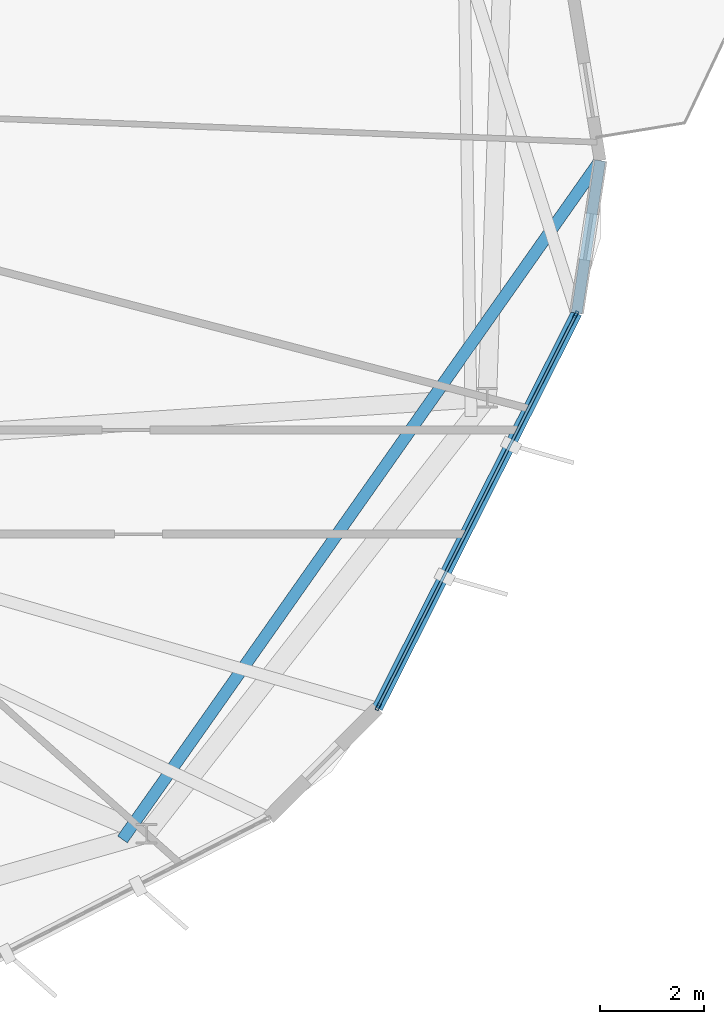
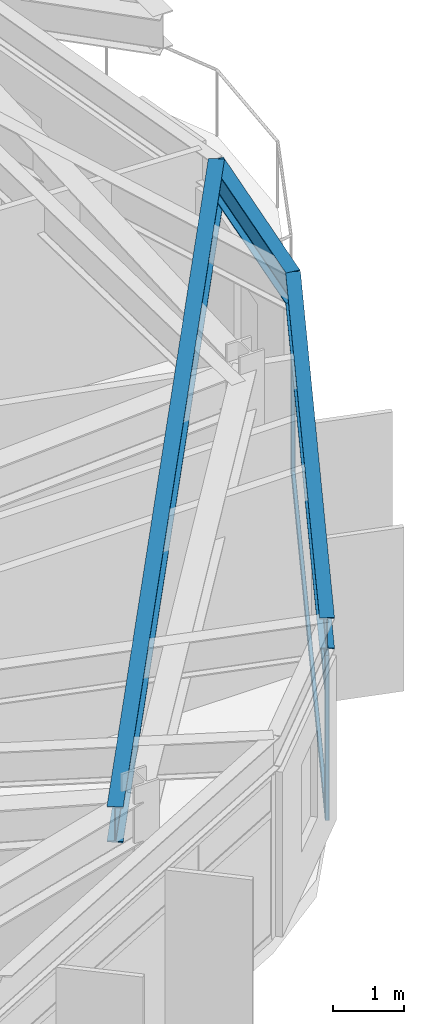
# One storey, part 9 of 22: 5 members, 3 beams, 1 element without a shape of its own.
"""IFC4 building model written with IfcOpenShell, lengths in metres."""

from ifc_helpers import new_model, si_unit, direction, frame, origin, origin_2d, place, context, subcontext, project, spatial, hollow_rectangle, i_section, extrude, material, layer, layer_set, material_profile, profile_set, type_object, element, aggregate, save


model = new_model("IFC4")

# Units and contexts
model_context = context("Model", 3, precision=1e-05, world=origin(), true_north=direction((0.0, 1.0)))
body_context = subcontext(model_context, "Body", "Model", "MODEL_VIEW")
ifc_project = project(units=[si_unit("LENGTHUNIT", "METRE"), si_unit("AREAUNIT", "SQUARE_METRE"), si_unit("VOLUMEUNIT", "CUBIC_METRE"), si_unit("PLANEANGLEUNIT", "RADIAN"), si_unit("MASSUNIT", "GRAM", prefix="KILO")], contexts=[model_context])

# Site, building, storey
site_placement = place(None, origin())
site = spatial("IfcSite", under=ifc_project, at=site_placement, CompositionType="ELEMENT")
building_placement = place(site_placement, origin())
building = spatial("IfcBuilding", under=site, at=building_placement, Name="Soratama Intermodal Tower", CompositionType="ELEMENT")
storey_placement = place(building_placement, frame((0.0, 0.0, 265.0)))
storey = spatial("IfcBuildingStorey", under=building, at=storey_placement, Name="L67", CompositionType="ELEMENT", Elevation=265.0)

# Beams
ifc_material_1 = material(Name="Structural steel ASTM A992 Grade 50", Category="steel")
ifc_material_profile_1 = material_profile(ifc_material_1, i_section(OverallWidth=0.2099609375, OverallDepth=0.537109375, WebThickness=0.010986328125, FlangeThickness=0.017333984375, FilletRadius=0.012939453125, at=origin_2d()), Name="W21X68")
ifc_profile_set_1 = profile_set([ifc_material_profile_1], Name="Structural steel ASTM A992 Grade 50")
beam_type_1 = type_object("IfcBeamType", Name="BM-SPN-W21X68", PredefinedType="SPANDREL", material=ifc_profile_set_1)
beam_1_placement = place(storey_placement, frame((59.051025390625, 13.155029296875, 3.181396484375), z_axis=(0.450358943258, 0.892847591825, 0.0), x_axis=(-0.892847591825, 0.450358943258, 0.0)))
element("IfcBeam", 1, at=beam_1_placement, inside=storey, type_object=beam_type_1, Name="BS-L67-F08", PredefinedType="SPANDREL", context=body_context, shape_type="SweptSolid", body=[
    extrude(i_section(OverallWidth=0.2099609375, OverallDepth=0.537109375, WebThickness=0.010986328125, FlangeThickness=0.017333984375, FilletRadius=0.012939453125, at=origin_2d()), origin(), (0.0, 0.0, 1.0), 8.49951171875),
])
beam_2_placement = place(storey_placement, frame((62.87890625, 20.743896484375, 3.181396484375), z_axis=(0.152081920399, 0.988367891773, 0.0), x_axis=(-0.988367891773, 0.152081920399, 0.0)))
element("IfcBeam", 2, at=beam_2_placement, inside=storey, type_object=beam_type_1, Name="BS-L67-CRN08", PredefinedType="SPANDREL", context=body_context, shape_type="SweptSolid", body=[
    extrude(i_section(OverallWidth=0.2099609375, OverallDepth=0.537109375, WebThickness=0.010986328125, FlangeThickness=0.017333984375, FilletRadius=0.012939453125, at=origin_2d()), origin(), (0.0, 0.0, 1.0), 2.966552734375),
])
ifc_material_2 = material(Name="Structural steel ASTM A992 Grade 50", Category="steel")
ifc_material_profile_2 = material_profile(ifc_material_2, i_section(OverallWidth=0.22900390625, OverallDepth=0.612060546875, WebThickness=0.011962890625, FlangeThickness=0.01953125, FilletRadius=0.012939453125, at=origin_2d()), Name="W24X84")
ifc_profile_set_2 = profile_set([ifc_material_profile_2], Name="Structural steel ASTM A992 Grade 50")
beam_type_2 = type_object("IfcBeamType", Name="BM-TIE-W24X84", PredefinedType="BEAM", material=ifc_profile_set_2)
beam_3_placement = place(storey_placement, frame((54.153076171875, 10.633056640625, 3.14404296875), z_axis=(0.575435386494, 0.817847244887, 0.0), x_axis=(-0.817847244887, 0.575435386494, 0.0)))
element("IfcBeam", 3, at=beam_3_placement, inside=storey, type_object=beam_type_2, Name="BM-L67-TIE0-09", PredefinedType="BEAM", context=body_context, shape_type="SweptSolid", body=[
    extrude(i_section(OverallWidth=0.22900390625, OverallDepth=0.612060546875, WebThickness=0.011962890625, FlangeThickness=0.01953125, FilletRadius=0.012939453125, at=origin_2d()), origin(), (0.0, 0.0, 1.0), 15.947998046875),
])

# Curtain wall, members
ifc_material_3 = material(Name="Double-glazed aluminium curtain wall", Category="aluminium")
ifc_layer = layer(ifc_material_3, 0.159912109375)
ifc_layer_set = layer_set([ifc_layer], Name="Double-glazed aluminium curtain wall")
curtain_wall_type = type_object("IfcCurtainWallType", Name="CW-SYS-5", PredefinedType="NOTDEFINED", material=ifc_layer_set)
curtain_wall_placement = place(storey_placement, origin())
curtain_wall = element("IfcCurtainWall", 4, at=curtain_wall_placement, inside=storey, type_object=curtain_wall_type, Name="L67 Faceted Curtain Wall F08", PredefinedType="NOTDEFINED")
ifc_material_4 = material(Name="Anodised aluminium AA 6063-T6", Category="aluminium")
ifc_material_profile_3 = material_profile(ifc_material_4, hollow_rectangle(XDim=0.06494140625, YDim=0.139892578125, WallThickness=0.0048828125, InnerFilletRadius=0.0048828125, OuterFilletRadius=0.010009765625, at=origin_2d()), Name="CWM140X65X5")
ifc_profile_set_3 = profile_set([ifc_material_profile_3], Name="Anodised aluminium AA 6063-T6")
member_type_1 = type_object("IfcMemberType", Name="MT-CWM-5", PredefinedType="MULLION", material=ifc_profile_set_3)
member_1_placement = place(storey_placement, frame((59.06494140625, 13.181640625, 0.0), z_axis=(0.0, 0.0, 1.0), x_axis=(-0.892899626176, 0.450255769064, 0.0)))
member_1 = element("IfcMember", 5, at=member_1_placement, type_object=member_type_1, Name="CW-5 mullion 1", PredefinedType="MULLION", context=body_context, shape_type="SweptSolid", body=[
    extrude(hollow_rectangle(XDim=0.06494140625, YDim=0.139892578125, WallThickness=0.0048828125, InnerFilletRadius=0.0048828125, OuterFilletRadius=0.010009765625, at=origin_2d()), origin(), (0.0, 0.0, 1.0), 2.8291015625),
])
member_2_placement = place(storey_placement, frame((62.864990234375, 20.717529296875, 0.0), z_axis=(0.0, 0.0, 1.0), x_axis=(-0.892899626176, 0.450255769064, 0.0)))
member_2 = element("IfcMember", 6, at=member_2_placement, type_object=member_type_1, Name="CW-5 mullion 2", PredefinedType="MULLION", context=body_context, shape_type="SweptSolid", body=[
    extrude(hollow_rectangle(XDim=0.06494140625, YDim=0.139892578125, WallThickness=0.0048828125, InnerFilletRadius=0.0048828125, OuterFilletRadius=0.010009765625, at=origin_2d()), origin(), (0.0, 0.0, 1.0), 2.8291015625),
])
ifc_material_5 = material(Name="Anodised aluminium AA 6063-T6", Category="aluminium")
ifc_material_profile_4 = material_profile(ifc_material_5, hollow_rectangle(XDim=0.06005859375, YDim=0.1298828125, WallThickness=0.0048828125, InnerFilletRadius=0.0048828125, OuterFilletRadius=0.010009765625, at=origin_2d()), Name="CWT130X60X5")
ifc_profile_set_4 = profile_set([ifc_material_profile_4], Name="Anodised aluminium AA 6063-T6")
member_type_2 = type_object("IfcMemberType", Name="TT-CWT-2", PredefinedType="USERDEFINED", material=ifc_profile_set_4)
member_3_placement = place(storey_placement, frame((59.078369140625, 13.208251953125, 0.030029296875), z_axis=(0.450264221194, 0.892895364034, 0.0), x_axis=(-0.892895364034, 0.450264221194, 0.0)))
member_3 = element("IfcMember", 7, at=member_3_placement, type_object=member_type_2, Name="CW-5 transom 1.1", ObjectType="TRANSOM", PredefinedType="USERDEFINED", context=body_context, shape_type="SweptSolid", body=[
    extrude(hollow_rectangle(XDim=0.06005859375, YDim=0.1298828125, WallThickness=0.0048828125, InnerFilletRadius=0.0048828125, OuterFilletRadius=0.010009765625, at=origin_2d()), origin(), (0.0, 0.0, 1.0), 8.3798828125),
])
member_4_placement = place(storey_placement, frame((59.078369140625, 13.208251953125, 2.14990234375), z_axis=(0.450264221194, 0.892895364034, 0.0), x_axis=(-0.892895364034, 0.450264221194, 0.0)))
member_4 = element("IfcMember", 8, at=member_4_placement, type_object=member_type_2, Name="CW-5 transom 1.2", ObjectType="TRANSOM", PredefinedType="USERDEFINED", context=body_context, shape_type="SweptSolid", body=[
    extrude(hollow_rectangle(XDim=0.06005859375, YDim=0.1298828125, WallThickness=0.0048828125, InnerFilletRadius=0.0048828125, OuterFilletRadius=0.010009765625, at=origin_2d()), origin(), (0.0, 0.0, 1.0), 8.3798828125),
])
member_5_placement = place(storey_placement, frame((59.078369140625, 13.208251953125, 2.799072265625), z_axis=(0.450264221194, 0.892895364034, 0.0), x_axis=(-0.892895364034, 0.450264221194, 0.0)))
member_5 = element("IfcMember", 9, at=member_5_placement, type_object=member_type_2, Name="CW-5 transom 1.3", ObjectType="TRANSOM", PredefinedType="USERDEFINED", context=body_context, shape_type="SweptSolid", body=[
    extrude(hollow_rectangle(XDim=0.06005859375, YDim=0.1298828125, WallThickness=0.0048828125, InnerFilletRadius=0.0048828125, OuterFilletRadius=0.010009765625, at=origin_2d()), origin(), (0.0, 0.0, 1.0), 8.3798828125),
])
aggregate(curtain_wall, [member_1, member_2, member_3, member_4, member_5])

save(model, "model.ifc")
